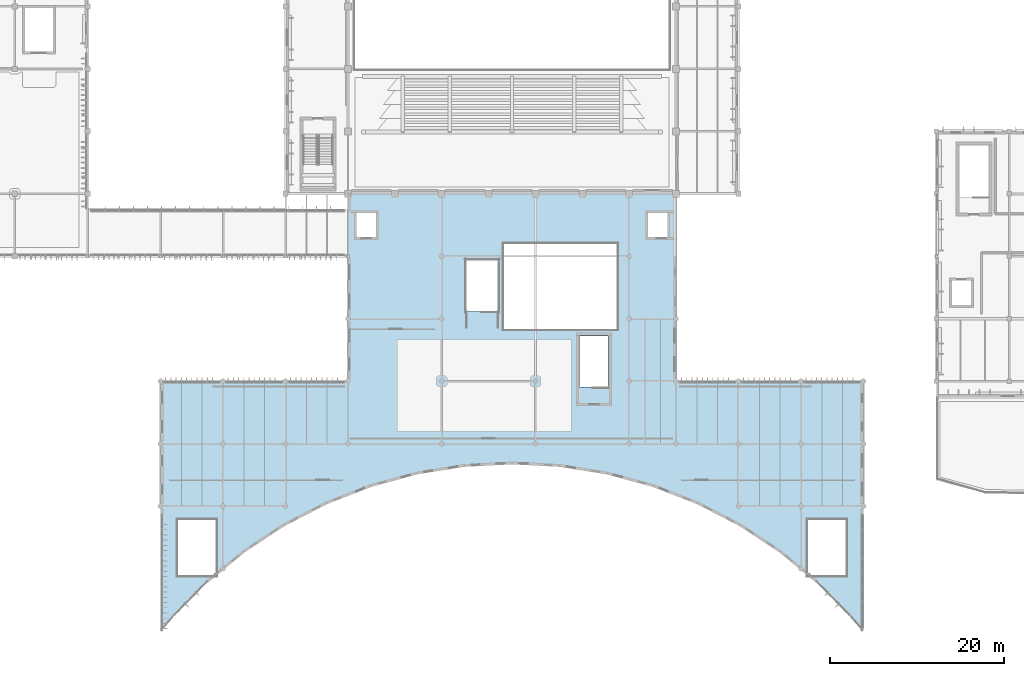
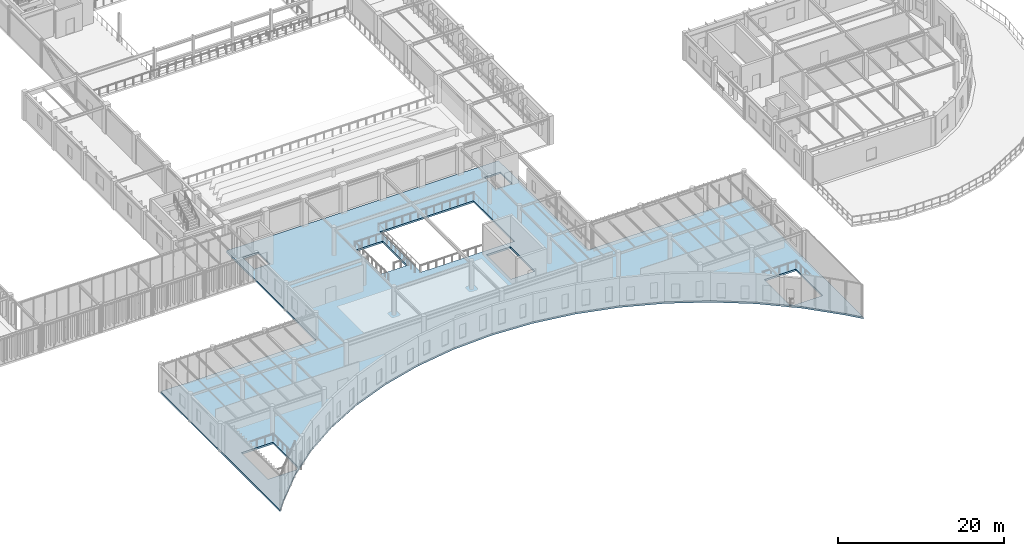
# One storey, part 20 of 104: 1 slab.
"""IFC4 building model written with IfcOpenShell, lengths in metres."""

from ifc_helpers import new_model, si_unit, direction, frame, origin, place, context, subcontext, project, spatial, polyline, outline, extrude, material, layer, layer_set, type_object, element, save


model = new_model("IFC4")

# Units and contexts
model_context = context("Model", 3, precision=1e-05, world=origin(), true_north=direction((0.0, 1.0)))
body_context = subcontext(model_context, "Body", "Model", "MODEL_VIEW")
ifc_project = project(units=[si_unit("LENGTHUNIT", "METRE"), si_unit("AREAUNIT", "SQUARE_METRE"), si_unit("VOLUMEUNIT", "CUBIC_METRE"), si_unit("PLANEANGLEUNIT", "RADIAN"), si_unit("MASSUNIT", "GRAM", prefix="KILO")], contexts=[model_context])

# Site, building, storey
site_placement = place(None, origin())
site = spatial("IfcSite", under=ifc_project, at=site_placement, CompositionType="ELEMENT")
building_placement = place(site_placement, origin())
building = spatial("IfcBuilding", under=site, at=building_placement, Name="Tazoul Stagehouse", CompositionType="ELEMENT")
storey_placement = place(building_placement, frame((0.0, 0.0, 9.0)))
storey = spatial("IfcBuildingStorey", under=building, at=storey_placement, Name="L02", CompositionType="ELEMENT", Elevation=9.0)

# Slab
ifc_material = material(Name="Concrete C35/45", Category="concrete")
ifc_layer = layer(ifc_material, 0.260009765625, Name="Concrete C35/45")
ifc_layer_set = layer_set([ifc_layer], Name="Concrete C35/45")
slab_type = type_object("IfcSlabType", Name="Suspended Floor Slab 260", PredefinedType="FLOOR", material=ifc_layer_set)
slab_placement = place(storey_placement, frame((0.0, 0.0, -0.260009765625)))
element("IfcSlab", 1, at=slab_placement, inside=storey, type_object=slab_type, Name="L02 Suspended Floor Slab 260 (V5)", PredefinedType="FLOOR", context=body_context, shape_type="SweptSolid", body=[
    extrude(outline(polyline([(36.0, 1.449951171875), (36.0, 30.199951171875), (57.60009765625, 30.199951171875), (57.60009765625, 51.800048828125), (95.39990234375, 51.800048828125), (95.39990234375, 30.199951171875), (117.0, 30.199951171875), (117.0, 1.449951171875), (115.5, 3.1796875), (111.641845703125, 7.11328125), (107.388916015625, 10.616455078125), (102.78955078125, 13.64990234375), (97.894775390625, 16.1796875), (92.760009765625, 18.177490234375), (87.4423828125, 19.62060546875), (82.002197265625, 20.4931640625), (76.5, 20.784912109375), (70.997802734375, 20.4931640625), (65.5576171875, 19.62060546875), (60.239990234375, 18.177490234375), (55.105224609375, 16.1796875), (50.21044921875, 13.64990234375), (45.611083984375, 10.616455078125), (41.358154296875, 7.11328125), (37.5, 3.1796875), (36.0, 1.449951171875)]), holes=[polyline([(110.60009765625, 8.20458984375), (110.60009765625, 14.199951171875), (115.0, 14.199951171875), (115.0, 7.800048828125), (111.09130859375, 7.800048828125), (110.60009765625, 8.20458984375)]), polyline([(41.90869140625, 7.800048828125), (38.0, 7.800048828125), (38.0, 14.199951171875), (42.39990234375, 14.199951171875), (42.39990234375, 8.20458984375), (41.90869140625, 7.800048828125)]), polyline([(71.260009765625, 38.260009765625), (71.260009765625, 44.139892578125), (74.889892578125, 44.139892578125), (74.889892578125, 38.260009765625), (71.260009765625, 38.260009765625)]), polyline([(58.60009765625, 46.800048828125), (58.60009765625, 49.60009765625), (60.800048828125, 49.60009765625), (60.800048828125, 46.800048828125), (58.60009765625, 46.800048828125)]), polyline([(84.260009765625, 29.5400390625), (84.260009765625, 35.419921875), (87.590087890625, 35.419921875), (87.590087890625, 29.5400390625), (84.260009765625, 29.5400390625)]), polyline([(88.60009765625, 46.0), (88.60009765625, 36.199951171875), (75.60009765625, 36.199951171875), (75.60009765625, 46.0), (88.60009765625, 46.0)]), polyline([(92.199951171875, 49.60009765625), (94.39990234375, 49.60009765625), (94.39990234375, 46.800048828125), (92.199951171875, 46.800048828125), (92.199951171875, 49.60009765625)])]), origin(), (0.0, 0.0, 1.0), 0.260009765625),
])

save(model, "model.ifc")
